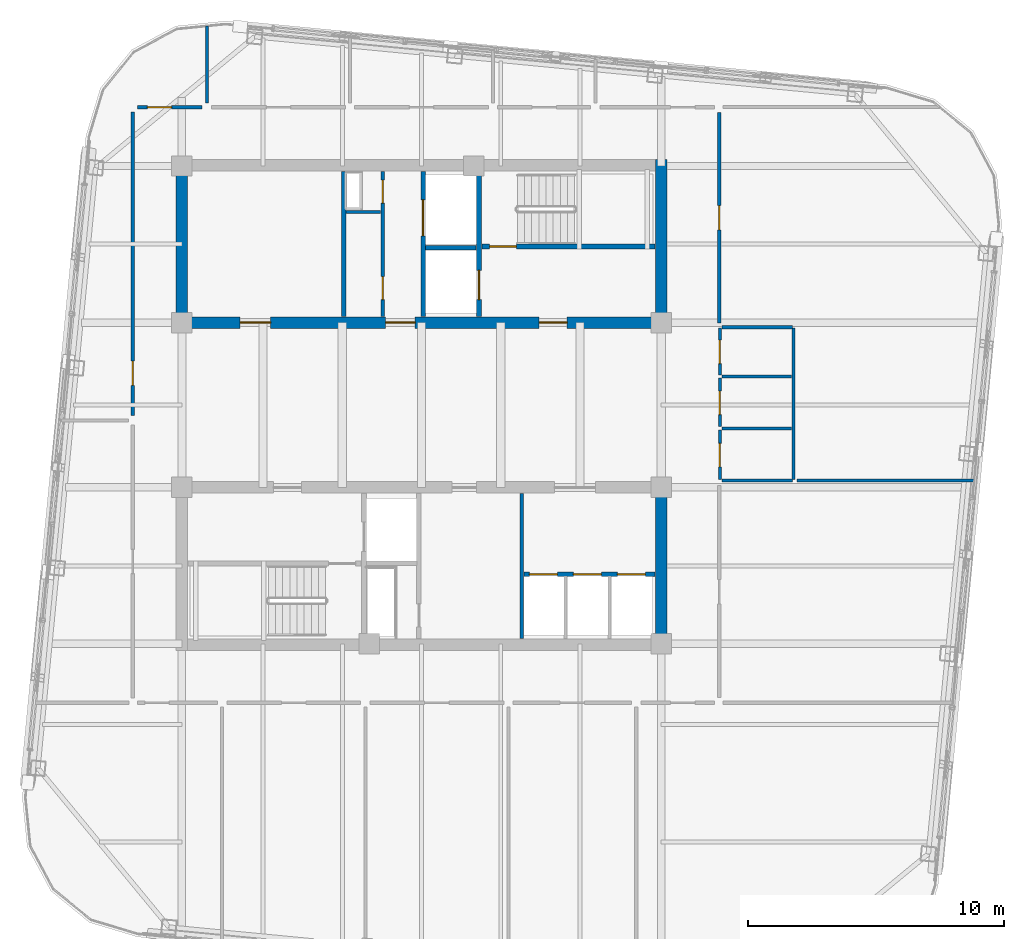
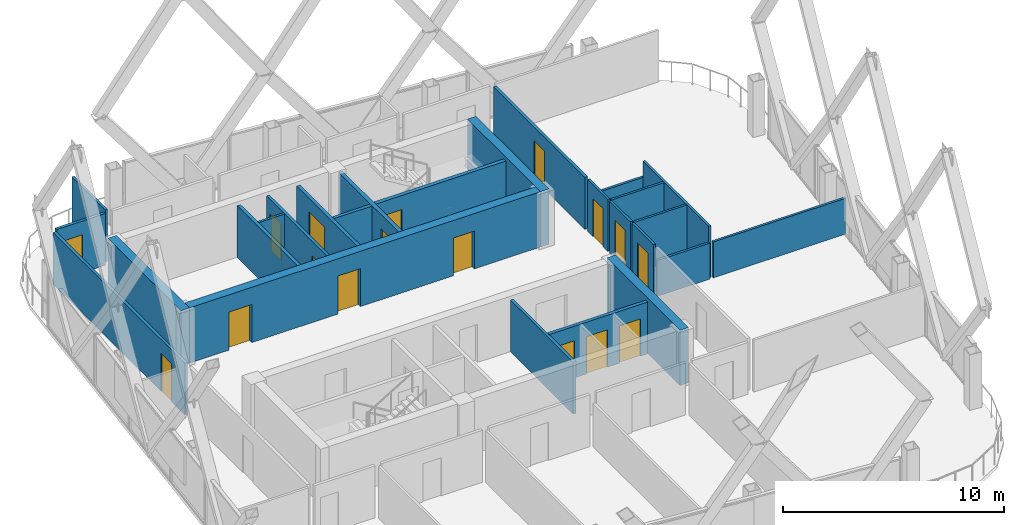
# One storey, part 20 of 25: 26 walls, 17 doors, 17 openings.
"""IFC4 building model written with IfcOpenShell, lengths in metres."""

from ifc_helpers import new_model, si_unit, direction, frame, frame_2d, origin, place, context, subcontext, project, spatial, rectangle, extrude, material, layer, layer_set, type_object, element, fill, save


model = new_model("IFC4")

# Units and contexts
model_context = context("Model", 3, precision=1e-05, world=origin(), true_north=direction((0.0, 1.0)))
body_context = subcontext(model_context, "Body", "Model", "MODEL_VIEW")
ifc_project = project(units=[si_unit("LENGTHUNIT", "METRE"), si_unit("AREAUNIT", "SQUARE_METRE"), si_unit("VOLUMEUNIT", "CUBIC_METRE"), si_unit("PLANEANGLEUNIT", "RADIAN"), si_unit("MASSUNIT", "GRAM", prefix="KILO")], contexts=[model_context])

# Site, building, storey
site_placement = place(None, origin())
site = spatial("IfcSite", under=ifc_project, at=site_placement, CompositionType="ELEMENT")
building_placement = place(site_placement, origin())
building = spatial("IfcBuilding", under=site, at=building_placement, Name="Qhalaya Broadcast Tower", CompositionType="ELEMENT")
storey_placement = place(building_placement, frame((0.0, 0.0, 255.050048828125)))
storey = spatial("IfcBuildingStorey", under=building, at=storey_placement, Name="L75", CompositionType="ELEMENT", Elevation=255.050048828125)

# Wall, openings, doors
ifc_material_1 = material(Name="Gypsum Acoustic Partition")
ifc_layer_1 = layer(ifc_material_1, 0.14990234375, Name="Gypsum Acoustic Partition")
ifc_layer_set_1 = layer_set([ifc_layer_1], Name="Gypsum Acoustic Partition")
wall_type_1 = type_object("IfcWallType", Name="Corridor & Tenancy Acoustic Partition 150", PredefinedType="PARTITIONING", material=ifc_layer_set_1)
wall_1_placement = place(storey_placement, frame((-1.52001953125, 4.070068359375, 0.0), z_axis=(0.0, 0.0, 1.0), x_axis=(0.0, 1.0, 0.0)))
wall_1 = element("IfcWall", 1, at=wall_1_placement, inside=storey, type_object=wall_type_1, Name="L75 Partition Wall NCW-SVL", PredefinedType="PARTITIONING", context=body_context, shape_type="SweptSolid", body=[
    extrude(rectangle(XDim=5.659912109375, YDim=0.14990234375, at=frame_2d((2.830078125, 0.0))), origin(), (0.0, 0.0, 1.0), 2.85986328125),
])
opening_1_placement = place(wall_1_placement, frame((4.429931640625, 0.0, 0.0)))
opening_1 = element("IfcOpeningElement", 2, at=opening_1_placement, cuts=wall_1, Name="Opening D06", PredefinedType="OPENING", context=body_context, shape_type="SweptSolid", body=[
    extrude(rectangle(XDim=0.89990234375, YDim=2.050048828125, at=frame_2d((0.449951171875, 1.02490234375))), frame((0.0, 0.0869140625, 0.0), z_axis=(0.0, -1.0, 0.0), x_axis=(1.0, 0.0, 0.0)), (0.0, 0.0, 1.0), 0.173828125),
])
opening_2_placement = place(wall_1_placement, frame((0.64990234375, 0.0, 0.0)))
opening_2 = element("IfcOpeningElement", 3, at=opening_2_placement, cuts=wall_1, Name="Opening D06", PredefinedType="OPENING", context=body_context, shape_type="SweptSolid", body=[
    extrude(rectangle(XDim=0.89990234375, YDim=2.050048828125, at=frame_2d((0.449951171875, 1.02490234375))), frame((0.0, 0.0869140625, 0.0), z_axis=(0.0, -1.0, 0.0), x_axis=(1.0, 0.0, 0.0)), (0.0, 0.0, 1.0), 0.173828125),
])
ifc_material_2 = material(Name="Fire-Rated Steel Door", Category="steel")
door_type_1 = type_object("IfcDoorType", Name="Riser & Electrical Shaft Access Door D06", OperationType="NOTDEFINED", PredefinedType="DOOR", material=ifc_material_2)
door_1_placement = place(opening_1_placement, origin())
door_1 = element("IfcDoor", 4, at=door_1_placement, inside=storey, type_object=door_type_1, Name="L75 Riser Shaft Access Door D-NRSR", OperationType="SINGLE_SWING_RIGHT", OverallHeight=2.050048828125, OverallWidth=0.89990234375, PredefinedType="DOOR", context=body_context, shape_type="SweptSolid", body=[
    extrude(rectangle(XDim=0.89990234375, YDim=2.050048828125, at=frame_2d((0.449951171875, 1.02490234375))), frame((0.0, 0.02490234375, 0.0), z_axis=(0.0, -1.0, 0.0), x_axis=(1.0, 0.0, 0.0)), (0.0, 0.0, 1.0), 0.050048828125),
])
fill(opening_1, door_1)
door_2_placement = place(opening_2_placement, origin())
door_2 = element("IfcDoor", 5, at=door_2_placement, inside=storey, type_object=door_type_1, Name="L75 Door D-NCST", OperationType="SINGLE_SWING_LEFT", OverallHeight=2.050048828125, OverallWidth=0.89990234375, PredefinedType="DOOR", context=body_context, shape_type="SweptSolid", body=[
    extrude(rectangle(XDim=0.89990234375, YDim=2.050048828125, at=frame_2d((0.449951171875, 1.02490234375))), frame((0.0, 0.02490234375, 0.0), z_axis=(0.0, -1.0, 0.0), x_axis=(1.0, 0.0, 0.0)), (0.0, 0.0, 1.0), 0.050048828125),
])
fill(opening_2, door_2)

# Wall
wall_2_placement = place(storey_placement, frame((3.919921875, -8.530029296875, 0.0), z_axis=(0.0, 0.0, 1.0), x_axis=(0.0, 1.0, 0.0)))
element("IfcWall", 6, at=wall_2_placement, inside=storey, type_object=wall_type_1, Name="L75 Partition Wall SCW-HSEP", PredefinedType="PARTITIONING", context=body_context, shape_type="SweptSolid", body=[
    extrude(rectangle(XDim=5.659912109375, YDim=0.14990234375, at=frame_2d((2.830078125, 0.0))), origin(), (0.0, 0.0, 1.0), 2.85986328125),
])

# Wall, opening, door
wall_3_placement = place(storey_placement, frame((-11.1201171875, 12.25, 0.0), z_axis=(0.0, 0.0, 1.0), x_axis=(1.0, 0.0, 0.0)))
wall_3 = element("IfcWall", 7, at=wall_3_placement, inside=storey, type_object=wall_type_1, Name="L75 Partition Wall W-COR-01", PredefinedType="PARTITIONING", context=body_context, shape_type="SweptSolid", body=[
    extrude(rectangle(XDim=2.5400390625, YDim=0.14990234375, at=frame_2d((1.27001953125, 0.0))), origin(), (0.0, 0.0, 1.0), 2.85986328125),
])
opening_3_placement = place(wall_3_placement, frame((0.39501953125, 0.0, 0.0)))
opening_3 = element("IfcOpeningElement", 8, at=opening_3_placement, cuts=wall_3, Name="Opening D10", PredefinedType="OPENING", context=body_context, shape_type="SweptSolid", body=[
    extrude(rectangle(XDim=0.949951171875, YDim=2.10009765625, at=frame_2d((0.47509765625, 1.050048828125))), frame((0.0, 0.0869140625, 0.0), z_axis=(0.0, -1.0, 0.0), x_axis=(1.0, 0.0, 0.0)), (0.0, 0.0, 1.0), 0.173828125),
])
ifc_material_3 = material(Name="Timber Veneer Acoustic Door", Category="wood")
door_type_2 = type_object("IfcDoorType", Name="Cellular Office & Edit Booth Door D10", OperationType="NOTDEFINED", PredefinedType="DOOR", material=ifc_material_3)
door_3_placement = place(opening_3_placement, origin())
door_3 = element("IfcDoor", 9, at=door_3_placement, inside=storey, type_object=door_type_2, Name="L75 Door D-RM01", OperationType="SINGLE_SWING_LEFT", OverallHeight=2.10009765625, OverallWidth=0.949951171875, PredefinedType="DOOR", context=body_context, shape_type="SweptSolid", body=[
    extrude(rectangle(XDim=0.949951171875, YDim=2.10009765625, at=frame_2d((0.47509765625, 1.050048828125))), frame((0.0, 0.02490234375, 0.0), z_axis=(0.0, -1.0, 0.0), x_axis=(1.0, 0.0, 0.0)), (0.0, 0.0, 1.0), 0.050048828125),
])
fill(opening_3, door_3)

wall_4_placement = place(storey_placement, frame((-11.300048828125, 12.070068359375, 0.0), z_axis=(0.0, 0.0, 1.0), x_axis=(0.0, -1.0, 0.0)))
wall_4 = element("IfcWall", 10, at=wall_4_placement, inside=storey, type_object=wall_type_1, Name="L75 Partition Wall W-COR-12", PredefinedType="PARTITIONING", context=body_context, shape_type="SweptSolid", body=[
    extrude(rectangle(XDim=11.89013671875, YDim=0.14990234375, at=frame_2d((5.945068359375, 0.0))), origin(), (0.0, 0.0, 1.0), 2.85986328125),
])
opening_4_placement = place(wall_4_placement, frame((9.75, 0.0, 0.0)))
opening_4 = element("IfcOpeningElement", 11, at=opening_4_placement, cuts=wall_4, Name="Opening D10", PredefinedType="OPENING", context=body_context, shape_type="SweptSolid", body=[
    extrude(rectangle(XDim=0.949951171875, YDim=2.10009765625, at=frame_2d((0.47509765625, 1.050048828125))), frame((0.0, 0.0869140625, 0.0), z_axis=(0.0, -1.0, 0.0), x_axis=(1.0, 0.0, 0.0)), (0.0, 0.0, 1.0), 0.173828125),
])
door_4_placement = place(opening_4_placement, origin())
door_4 = element("IfcDoor", 12, at=door_4_placement, inside=storey, type_object=door_type_2, Name="L75 Door D-RM12", OperationType="SINGLE_SWING_RIGHT", OverallHeight=2.10009765625, OverallWidth=0.949951171875, PredefinedType="DOOR", context=body_context, shape_type="SweptSolid", body=[
    extrude(rectangle(XDim=0.949951171875, YDim=2.10009765625, at=frame_2d((0.47509765625, 1.050048828125))), frame((0.0, 0.02490234375, 0.0), z_axis=(0.0, -1.0, 0.0), x_axis=(1.0, 0.0, 0.0)), (0.0, 0.0, 1.0), 0.050048828125),
])
fill(opening_4, door_4)

wall_5_placement = place(storey_placement, frame((11.64990234375, 3.800048828125, 0.0), z_axis=(0.0, 0.0, 1.0), x_axis=(0.0, 1.0, 0.0)))
wall_5 = element("IfcWall", 13, at=wall_5_placement, inside=storey, type_object=wall_type_1, Name="L75 Partition Wall W-COR-14", PredefinedType="PARTITIONING", context=body_context, shape_type="SweptSolid", body=[
    extrude(rectangle(XDim=8.25, YDim=0.14990234375, at=frame_2d((4.125, 0.0))), origin(), (0.0, 0.0, 1.0), 2.85986328125),
])
opening_5_placement = place(wall_5_placement, frame((3.64990234375, 0.0, 0.0)))
opening_5 = element("IfcOpeningElement", 14, at=opening_5_placement, cuts=wall_5, Name="Opening D10", PredefinedType="OPENING", context=body_context, shape_type="SweptSolid", body=[
    extrude(rectangle(XDim=0.949951171875, YDim=2.10009765625, at=frame_2d((0.47509765625, 1.050048828125))), frame((0.0, 0.0869140625, 0.0), z_axis=(0.0, -1.0, 0.0), x_axis=(1.0, 0.0, 0.0)), (0.0, 0.0, 1.0), 0.173828125),
])
door_5_placement = place(opening_5_placement, origin())
door_5 = element("IfcDoor", 15, at=door_5_placement, inside=storey, type_object=door_type_2, Name="L75 Door D-RM14", OperationType="SINGLE_SWING_RIGHT", OverallHeight=2.10009765625, OverallWidth=0.949951171875, PredefinedType="DOOR", context=body_context, shape_type="SweptSolid", body=[
    extrude(rectangle(XDim=0.949951171875, YDim=2.10009765625, at=frame_2d((0.47509765625, 1.050048828125))), frame((0.0, 0.02490234375, 0.0), z_axis=(0.0, -1.0, 0.0), x_axis=(1.0, 0.0, 0.0)), (0.0, 0.0, 1.0), 0.050048828125),
])
fill(opening_5, door_5)

ifc_material_4 = material(Name="Concrete C50/60", Category="concrete")
ifc_layer_2 = layer(ifc_material_4, 0.199951171875, Name="Concrete C50/60")
ifc_layer_set_2 = layer_set([ifc_layer_2], Name="Concrete C50/60")
wall_type_2 = type_object("IfcWallType", Name="Load-Bearing Stair Shaft Wall 200", PredefinedType="SHEAR", material=ifc_layer_set_2)
wall_6_placement = place(storey_placement, frame((2.360107421875, 6.804931640625, 0.0), z_axis=(0.0, 0.0, 1.0), x_axis=(1.0, 0.0, 0.0)))
wall_6 = element("IfcWall", 16, at=wall_6_placement, inside=storey, type_object=wall_type_2, Name="L75 Stair Core Shear Wall NCW-ST1", PredefinedType="SHEAR", context=body_context, shape_type="SweptSolid", body=[
    extrude(rectangle(XDim=6.769775390625, YDim=0.199951171875, at=frame_2d((3.384765625, 0.0))), origin(), (0.0, 0.0, 1.0), 2.85986328125),
])
opening_6_placement = place(wall_6_placement, frame((0.300048828125, 0.0, 0.0)))
opening_6 = element("IfcOpeningElement", 17, at=opening_6_placement, cuts=wall_6, Name="Opening D03", PredefinedType="OPENING", context=body_context, shape_type="SweptSolid", body=[
    extrude(rectangle(XDim=1.050048828125, YDim=2.080078125, at=frame_2d((0.52490234375, 1.0400390625))), frame((0.0, 0.112060546875, 0.0), z_axis=(0.0, -1.0, 0.0), x_axis=(1.0, 0.0, 0.0)), (0.0, 0.0, 1.0), 0.223876953125),
])
door_type_3 = type_object("IfcDoorType", Name="Core Stair Protected Fire Door D03", OperationType="NOTDEFINED", PredefinedType="DOOR", material=ifc_material_2)
door_6_placement = place(opening_6_placement, origin())
door_6 = element("IfcDoor", 18, at=door_6_placement, inside=storey, type_object=door_type_3, Name="L75 Door D-NST1", OperationType="SINGLE_SWING_LEFT", OverallHeight=2.080078125, OverallWidth=1.050048828125, PredefinedType="DOOR", context=body_context, shape_type="SweptSolid", body=[
    extrude(rectangle(XDim=1.050048828125, YDim=2.080078125, at=frame_2d((0.52490234375, 1.0400390625))), frame((0.0, 0.02490234375, 0.0), z_axis=(0.0, -1.0, 0.0), x_axis=(1.0, 0.0, 0.0)), (0.0, 0.0, 1.0), 0.050048828125),
])
fill(opening_6, door_6)

wall_7_placement = place(storey_placement, frame((2.25, 4.070068359375, 0.0), z_axis=(0.0, 0.0, 1.0), x_axis=(0.0, 1.0, 0.0)))
wall_7 = element("IfcWall", 19, at=wall_7_placement, inside=storey, type_object=wall_type_2, Name="L75 Stair Core Shear Wall NCW-FF", PredefinedType="SHEAR", context=body_context, shape_type="SweptSolid", body=[
    extrude(rectangle(XDim=5.659912109375, YDim=0.199951171875, at=frame_2d((2.830078125, 0.0))), origin(), (0.0, 0.0, 1.0), 2.85986328125),
])
opening_7_placement = place(wall_7_placement, frame((0.64990234375, 0.0, 0.0)))
opening_7 = element("IfcOpeningElement", 20, at=opening_7_placement, cuts=wall_7, Name="Opening LD2", PredefinedType="OPENING", context=body_context, shape_type="SweptSolid", body=[
    extrude(rectangle(XDim=1.14990234375, YDim=2.080078125, at=frame_2d((0.574951171875, 1.0400390625))), frame((0.0, 0.112060546875, 0.0), z_axis=(0.0, -1.0, 0.0), x_axis=(1.0, 0.0, 0.0)), (0.0, 0.0, 1.0), 0.223876953125),
])
ifc_material_5 = material(Name="Brushed Stainless Steel Lift Door", Category="steel")
door_type_4 = type_object("IfcDoorType", Name="Firefighting Lift Sliding Landing Door LD2", OperationType="DOUBLE_DOOR_SLIDING", PredefinedType="DOOR", material=ifc_material_5)
door_7_placement = place(opening_7_placement, origin())
door_7 = element("IfcDoor", 21, at=door_7_placement, inside=storey, type_object=door_type_4, Name="L75 Door LD-FF1", OperationType="DOUBLE_DOOR_SLIDING", OverallHeight=2.080078125, OverallWidth=1.14990234375, PredefinedType="DOOR", context=body_context, shape_type="SweptSolid", body=[
    extrude(rectangle(XDim=1.14990234375, YDim=2.080078125, at=frame_2d((0.574951171875, 1.0400390625))), frame((0.0, 0.02490234375, 0.0), z_axis=(0.0, -1.0, 0.0), x_axis=(1.0, 0.0, 0.0)), (0.0, 0.0, 1.0), 0.050048828125),
])
fill(opening_7, door_7)

# Wall
ifc_layer_3 = layer(ifc_material_1, 0.1201171875, Name="Gypsum Acoustic Partition")
ifc_layer_set_3 = layer_set([ifc_layer_3], Name="Gypsum Acoustic Partition")
wall_type_3 = type_object("IfcWallType", Name="Office, Booth & Sanitary Partition 120", PredefinedType="PARTITIONING", material=ifc_layer_set_3)
wall_8_placement = place(storey_placement, frame((-2.9599609375, 8.14990234375, 0.0), z_axis=(0.0, 0.0, 1.0), x_axis=(1.0, 0.0, 0.0)))
element("IfcWall", 22, at=wall_8_placement, inside=storey, type_object=wall_type_3, Name="L75 Partition Wall NCW-VA", PredefinedType="PARTITIONING", context=body_context, shape_type="SweptSolid", body=[
    extrude(rectangle(XDim=1.35986328125, YDim=0.1201171875, at=frame_2d((0.679931640625, 0.0))), origin(), (0.0, 0.0, 1.0), 2.85986328125),
])

# Wall, opening, door
wall_9_placement = place(storey_placement, frame((11.669921875, -2.320068359375, 0.0), z_axis=(0.0, 0.0, 1.0), x_axis=(0.0, 1.0, 0.0)))
wall_9 = element("IfcWall", 23, at=wall_9_placement, inside=storey, type_object=wall_type_3, Name="L75 Partition Wall W-WCWA", PredefinedType="PARTITIONING", context=body_context, shape_type="SweptSolid", body=[
    extrude(rectangle(XDim=1.940185546875, YDim=0.1201171875, at=frame_2d((0.97021484375, 0.0))), origin(), (0.0, 0.0, 1.0), 2.85986328125),
])
opening_8_placement = place(wall_9_placement, frame((0.4951171875, 0.0, 0.0)))
opening_8 = element("IfcOpeningElement", 24, at=opening_8_placement, cuts=wall_9, Name="Opening D12", PredefinedType="OPENING", context=body_context, shape_type="SweptSolid", body=[
    extrude(rectangle(XDim=0.919921875, YDim=2.10009765625, at=frame_2d((0.4599609375, 1.050048828125))), frame((0.0, 0.072021484375, 0.0), z_axis=(0.0, -1.0, 0.0), x_axis=(1.0, 0.0, 0.0)), (0.0, 0.0, 1.0), 0.14404296875),
])
door_type_5 = type_object("IfcDoorType", Name="Accessible WC & Restroom Door D12", OperationType="NOTDEFINED", PredefinedType="DOOR", material=ifc_material_3)
door_8_placement = place(opening_8_placement, origin())
door_8 = element("IfcDoor", 25, at=door_8_placement, inside=storey, type_object=door_type_5, Name="L75 Door D-WCA", OperationType="SINGLE_SWING_LEFT", OverallHeight=2.10009765625, OverallWidth=0.919921875, PredefinedType="DOOR", context=body_context, shape_type="SweptSolid", body=[
    extrude(rectangle(XDim=0.919921875, YDim=2.10009765625, at=frame_2d((0.4599609375, 1.050048828125))), frame((0.0, 0.02490234375, 0.0), z_axis=(0.0, -1.0, 0.0), x_axis=(1.0, 0.0, 0.0)), (0.0, 0.0, 1.0), 0.050048828125),
])
fill(opening_8, door_8)

wall_10_placement = place(storey_placement, frame((11.669921875, -0.25, 0.0), z_axis=(0.0, 0.0, 1.0), x_axis=(0.0, 1.0, 0.0)))
wall_10 = element("IfcWall", 26, at=wall_10_placement, inside=storey, type_object=wall_type_3, Name="L75 Partition Wall W-WCWM", PredefinedType="PARTITIONING", context=body_context, shape_type="SweptSolid", body=[
    extrude(rectangle(XDim=1.89990234375, YDim=0.1201171875, at=frame_2d((0.949951171875, 0.0))), origin(), (0.0, 0.0, 1.0), 2.85986328125),
])
opening_9_placement = place(wall_10_placement, frame((0.47509765625, 0.0, 0.0)))
opening_9 = element("IfcOpeningElement", 27, at=opening_9_placement, cuts=wall_10, Name="Opening D12", PredefinedType="OPENING", context=body_context, shape_type="SweptSolid", body=[
    extrude(rectangle(XDim=0.919921875, YDim=2.10009765625, at=frame_2d((0.4599609375, 1.050048828125))), frame((0.0, 0.072021484375, 0.0), z_axis=(0.0, -1.0, 0.0), x_axis=(1.0, 0.0, 0.0)), (0.0, 0.0, 1.0), 0.14404296875),
])
door_9_placement = place(opening_9_placement, origin())
door_9 = element("IfcDoor", 28, at=door_9_placement, inside=storey, type_object=door_type_5, Name="L75 Door D-WCM", OperationType="SINGLE_SWING_RIGHT", OverallHeight=2.10009765625, OverallWidth=0.919921875, PredefinedType="DOOR", context=body_context, shape_type="SweptSolid", body=[
    extrude(rectangle(XDim=0.919921875, YDim=2.10009765625, at=frame_2d((0.4599609375, 1.050048828125))), frame((0.0, 0.02490234375, 0.0), z_axis=(0.0, -1.0, 0.0), x_axis=(1.0, 0.0, 0.0)), (0.0, 0.0, 1.0), 0.050048828125),
])
fill(opening_9, door_9)

wall_11_placement = place(storey_placement, frame((11.669921875, 1.780029296875, 0.0), z_axis=(0.0, 0.0, 1.0), x_axis=(0.0, 1.0, 0.0)))
wall_11 = element("IfcWall", 29, at=wall_11_placement, inside=storey, type_object=wall_type_3, Name="L75 Partition Wall W-WCWF", PredefinedType="PARTITIONING", context=body_context, shape_type="SweptSolid", body=[
    extrude(rectangle(XDim=1.830078125, YDim=0.1201171875, at=frame_2d((0.9150390625, 0.0))), origin(), (0.0, 0.0, 1.0), 2.85986328125),
])
opening_10_placement = place(wall_11_placement, frame((0.43994140625, 0.0, 0.0)))
opening_10 = element("IfcOpeningElement", 30, at=opening_10_placement, cuts=wall_11, Name="Opening D12", PredefinedType="OPENING", context=body_context, shape_type="SweptSolid", body=[
    extrude(rectangle(XDim=0.919921875, YDim=2.10009765625, at=frame_2d((0.4599609375, 1.050048828125))), frame((0.0, 0.072021484375, 0.0), z_axis=(0.0, -1.0, 0.0), x_axis=(1.0, 0.0, 0.0)), (0.0, 0.0, 1.0), 0.14404296875),
])
door_10_placement = place(opening_10_placement, origin())
door_10 = element("IfcDoor", 31, at=door_10_placement, inside=storey, type_object=door_type_5, Name="L75 Door D-WCF", OperationType="SINGLE_SWING_LEFT", OverallHeight=2.10009765625, OverallWidth=0.919921875, PredefinedType="DOOR", context=body_context, shape_type="SweptSolid", body=[
    extrude(rectangle(XDim=0.919921875, YDim=2.10009765625, at=frame_2d((0.4599609375, 1.050048828125))), frame((0.0, 0.02490234375, 0.0), z_axis=(0.0, -1.0, 0.0), x_axis=(1.0, 0.0, 0.0)), (0.0, 0.0, 1.0), 0.050048828125),
])
fill(opening_10, door_10)

# Walls
wall_12_placement = place(storey_placement, frame((14.550048828125, -2.320068359375, 0.0), z_axis=(0.0, 0.0, 1.0), x_axis=(0.0, 1.0, 0.0)))
element("IfcWall", 32, at=wall_12_placement, inside=storey, type_object=wall_type_3, Name="L75 Partition Wall W-WCE", PredefinedType="PARTITIONING", context=body_context, shape_type="SweptSolid", body=[
    extrude(rectangle(XDim=5.93017578125, YDim=0.1201171875, at=frame_2d((2.965087890625, 0.0))), origin(), (0.0, 0.0, 1.0), 2.85986328125),
])
for number, where, z_axis, x_axis, name in (
    (33, (11.760009765625, -2.35009765625, 0.0), (0.0, 0.0, 1.0), (1.0, 0.0, 0.0), "L75 Partition Wall W-WCS"),
    (34, (11.760009765625, 3.639892578125, 0.0), (0.0, 0.0, 1.0), (1.0, 0.0, 0.0), "L75 Partition Wall W-WCN"),
):
    element("IfcWall", number, at=place(storey_placement, frame(where, z_axis=z_axis, x_axis=x_axis)), inside=storey, type_object=wall_type_3, Name=name, PredefinedType="PARTITIONING", context=body_context, shape_type="SweptSolid", body=[
        extrude(rectangle(XDim=2.760009765625, YDim=0.1201171875, at=frame_2d((1.3798828125, 0.0))), origin(), (0.0, 0.0, 1.0), 1.98095703125),
    ])
for number, where, z_axis, x_axis, name in (
    (35, (11.760009765625, -0.320068359375, 0.0), (0.0, 0.0, 1.0), (1.0, 0.0, 0.0), "L75 Partition Wall W-WCD1"),
    (36, (11.760009765625, 1.719970703125, 0.0), (0.0, 0.0, 1.0), (1.0, 0.0, 0.0), "L75 Partition Wall W-WCD2"),
):
    element("IfcWall", number, at=place(storey_placement, frame(where, z_axis=z_axis, x_axis=x_axis)), inside=storey, type_object=wall_type_3, Name=name, PredefinedType="PARTITIONING", context=body_context, shape_type="SweptSolid", body=[
        extrude(rectangle(XDim=2.719970703125, YDim=0.1201171875, at=frame_2d((1.35986328125, 0.0))), origin(), (0.0, 0.0, 1.0), 2.85986328125),
    ])
wall_13_placement = place(storey_placement, frame((-8.39990234375, 12.409912109375, 0.0), z_axis=(0.0, 0.0, 1.0), x_axis=(0.0, 1.0, 0.0)))
element("IfcWall", 37, at=wall_13_placement, inside=storey, type_object=wall_type_3, Name="L75 Partition Wall W-DIVN1", PredefinedType="PARTITIONING", context=body_context, shape_type="SweptSolid", body=[
    extrude(rectangle(XDim=3.01953125, YDim=0.1201171875, at=frame_2d((1.509765625, 0.0))), origin(), (0.0, 0.0, 1.0), 2.85986328125),
])
wall_14_placement = place(storey_placement, frame((14.68994140625, -2.35009765625, 0.0), z_axis=(0.0, 0.0, 1.0), x_axis=(1.0, 0.0, 0.0)))
element("IfcWall", 38, at=wall_14_placement, inside=storey, type_object=wall_type_3, Name="L75 Partition Wall W-DIVE-WC", PredefinedType="PARTITIONING", context=body_context, shape_type="SweptSolid", body=[
    extrude(rectangle(XDim=6.92724609375, YDim=0.1201171875, at=frame_2d((3.463623046875, 0.0))), origin(), (0.0, 0.0, 1.0), 1.98095703125),
])

# Wall, opening, door
ifc_layer_4 = layer(ifc_material_1, 0.175048828125, Name="Gypsum Acoustic Partition")
ifc_layer_set_4 = layer_set([ifc_layer_4], Name="Gypsum Acoustic Partition")
wall_type_4 = type_object("IfcWallType", Name="Shaft & Riser Fire Partition 175", PredefinedType="PARTITIONING", material=ifc_layer_set_4)
wall_15_placement = place(storey_placement, frame((0.06005859375, 4.070068359375, 0.0), z_axis=(0.0, 0.0, 1.0), x_axis=(0.0, 1.0, 0.0)))
wall_15 = element("IfcWall", 39, at=wall_15_placement, inside=storey, type_object=wall_type_4, Name="L75 Partition Wall NCW-SVW", PredefinedType="PARTITIONING", context=body_context, shape_type="SweptSolid", body=[
    extrude(rectangle(XDim=5.659912109375, YDim=0.175048828125, at=frame_2d((2.830078125, 0.0))), origin(), (0.0, 0.0, 1.0), 2.85986328125),
])
opening_11_placement = place(wall_15_placement, frame((3.14990234375, 0.0, 0.0)))
opening_11 = element("IfcOpeningElement", 40, at=opening_11_placement, cuts=wall_15, Name="Opening LD3", PredefinedType="OPENING", context=body_context, shape_type="SweptSolid", body=[
    extrude(rectangle(XDim=1.39990234375, YDim=2.1201171875, at=frame_2d((0.699951171875, 1.06005859375))), frame((0.0, 0.099609375, 0.0), z_axis=(0.0, -1.0, 0.0), x_axis=(1.0, 0.0, 0.0)), (0.0, 0.0, 1.0), 0.198974609375),
])
door_type_6 = type_object("IfcDoorType", Name="Service Lift Wide Sliding Landing Door LD3", OperationType="DOUBLE_DOOR_SLIDING", PredefinedType="DOOR", material=ifc_material_5)
door_11_placement = place(opening_11_placement, origin())
door_11 = element("IfcDoor", 41, at=door_11_placement, inside=storey, type_object=door_type_6, Name="L75 Door LD-SV1", OperationType="DOUBLE_DOOR_SLIDING", OverallHeight=2.1201171875, OverallWidth=1.39990234375, PredefinedType="DOOR", context=body_context, shape_type="SweptSolid", body=[
    extrude(rectangle(XDim=1.39990234375, YDim=2.1201171875, at=frame_2d((0.699951171875, 1.06005859375))), frame((0.0, 0.02490234375, 0.0), z_axis=(0.0, -1.0, 0.0), x_axis=(1.0, 0.0, 0.0)), (0.0, 0.0, 1.0), 0.050048828125),
])
fill(opening_11, door_11)

# Walls
wall_16_placement = place(storey_placement, frame((0.159912109375, 6.75, 0.0), z_axis=(0.0, 0.0, 1.0), x_axis=(1.0, 0.0, 0.0)))
element("IfcWall", 42, at=wall_16_placement, inside=storey, type_object=wall_type_4, Name="L75 Partition Wall NCW-SVM", PredefinedType="PARTITIONING", context=body_context, shape_type="SweptSolid", body=[
    extrude(rectangle(XDim=1.97998046875, YDim=0.175048828125, at=frame_2d((0.989990234375, 0.0))), origin(), (0.0, 0.0, 1.0), 2.85986328125),
])
wall_17_placement = place(storey_placement, frame((-3.0400390625, 4.070068359375, 0.0), z_axis=(0.0, 0.0, 1.0), x_axis=(0.0, 1.0, 0.0)))
element("IfcWall", 43, at=wall_17_placement, inside=storey, type_object=wall_type_4, Name="L75 Partition Wall NCW-VRW", PredefinedType="PARTITIONING", context=body_context, shape_type="SweptSolid", body=[
    extrude(rectangle(XDim=5.659912109375, YDim=0.175048828125, at=frame_2d((2.830078125, 0.0))), origin(), (0.0, 0.0, 1.0), 2.85986328125),
])

# Wall, openings, doors
wall_18_placement = place(storey_placement, frame((4.0, -6.02001953125, 0.0), z_axis=(0.0, 0.0, 1.0), x_axis=(1.0, 0.0, 0.0)))
wall_18 = element("IfcWall", 44, at=wall_18_placement, inside=storey, type_object=wall_type_4, Name="L75 Partition Wall SCW-SLB", PredefinedType="PARTITIONING", context=body_context, shape_type="SweptSolid", body=[
    extrude(rectangle(XDim=5.1298828125, YDim=0.175048828125, at=frame_2d((2.56494140625, 0.0))), origin(), (0.0, 0.0, 1.0), 2.85986328125),
])
opening_12_placement = place(wall_18_placement, frame((0.219970703125, 0.0, 0.0)))
opening_12 = element("IfcOpeningElement", 45, at=opening_12_placement, cuts=wall_18, Name="Opening LD1", PredefinedType="OPENING", context=body_context, shape_type="SweptSolid", body=[
    extrude(rectangle(XDim=1.10009765625, YDim=2.06005859375, at=frame_2d((0.550048828125, 1.030029296875))), frame((0.0, 0.099609375, 0.0), z_axis=(0.0, -1.0, 0.0), x_axis=(1.0, 0.0, 0.0)), (0.0, 0.0, 1.0), 0.198974609375),
])
opening_13_placement = place(wall_18_placement, frame((1.93994140625, 0.0, 0.0)))
opening_13 = element("IfcOpeningElement", 46, at=opening_13_placement, cuts=wall_18, Name="Opening LD1", PredefinedType="OPENING", context=body_context, shape_type="SweptSolid", body=[
    extrude(rectangle(XDim=1.10009765625, YDim=2.06005859375, at=frame_2d((0.550048828125, 1.030029296875))), frame((0.0, 0.099609375, 0.0), z_axis=(0.0, -1.0, 0.0), x_axis=(1.0, 0.0, 0.0)), (0.0, 0.0, 1.0), 0.198974609375),
])
opening_14_placement = place(wall_18_placement, frame((3.659912109375, 0.0, 0.0)))
opening_14 = element("IfcOpeningElement", 47, at=opening_14_placement, cuts=wall_18, Name="Opening LD1", PredefinedType="OPENING", context=body_context, shape_type="SweptSolid", body=[
    extrude(rectangle(XDim=1.10009765625, YDim=2.06005859375, at=frame_2d((0.550048828125, 1.030029296875))), frame((0.0, 0.099609375, 0.0), z_axis=(0.0, -1.0, 0.0), x_axis=(1.0, 0.0, 0.0)), (0.0, 0.0, 1.0), 0.198974609375),
])
door_type_7 = type_object("IfcDoorType", Name="Passenger Lift Sliding Landing Door LD1", OperationType="DOUBLE_DOOR_SLIDING", PredefinedType="DOOR", material=ifc_material_5)
door_12_placement = place(opening_12_placement, origin())
door_12 = element("IfcDoor", 48, at=door_12_placement, inside=storey, type_object=door_type_7, Name="L75 Door LD-P6", OperationType="DOUBLE_DOOR_SLIDING", OverallHeight=2.06005859375, OverallWidth=1.10009765625, PredefinedType="DOOR", context=body_context, shape_type="SweptSolid", body=[
    extrude(rectangle(XDim=1.10009765625, YDim=2.06005859375, at=frame_2d((0.550048828125, 1.030029296875))), frame((0.0, 0.02490234375, 0.0), z_axis=(0.0, -1.0, 0.0), x_axis=(1.0, 0.0, 0.0)), (0.0, 0.0, 1.0), 0.050048828125),
])
fill(opening_12, door_12)
door_13_placement = place(opening_13_placement, origin())
door_13 = element("IfcDoor", 49, at=door_13_placement, inside=storey, type_object=door_type_7, Name="L75 Door LD-P7", OperationType="DOUBLE_DOOR_SLIDING", OverallHeight=2.06005859375, OverallWidth=1.10009765625, PredefinedType="DOOR", context=body_context, shape_type="SweptSolid", body=[
    extrude(rectangle(XDim=1.10009765625, YDim=2.06005859375, at=frame_2d((0.550048828125, 1.030029296875))), frame((0.0, 0.02490234375, 0.0), z_axis=(0.0, -1.0, 0.0), x_axis=(1.0, 0.0, 0.0)), (0.0, 0.0, 1.0), 0.050048828125),
])
fill(opening_13, door_13)
door_14_placement = place(opening_14_placement, origin())
door_14 = element("IfcDoor", 50, at=door_14_placement, inside=storey, type_object=door_type_7, Name="L75 Door LD-P8", OperationType="DOUBLE_DOOR_SLIDING", OverallHeight=2.06005859375, OverallWidth=1.10009765625, PredefinedType="DOOR", context=body_context, shape_type="SweptSolid", body=[
    extrude(rectangle(XDim=1.10009765625, YDim=2.06005859375, at=frame_2d((0.550048828125, 1.030029296875))), frame((0.0, 0.02490234375, 0.0), z_axis=(0.0, -1.0, 0.0), x_axis=(1.0, 0.0, 0.0)), (0.0, 0.0, 1.0), 0.050048828125),
])
fill(opening_14, door_14)

ifc_layer_5 = layer(ifc_material_4, 0.449951171875, Name="Concrete C50/60")
ifc_layer_set_5 = layer_set([ifc_layer_5], Name="Concrete C50/60")
wall_type_5 = type_object("IfcWallType", Name="Upper Split-Core Shear Wall 450", PredefinedType="SHEAR", material=ifc_layer_set_5)
wall_19_placement = place(storey_placement, frame((-9.60009765625, 3.824951171875, 0.0), z_axis=(0.0, 0.0, 1.0), x_axis=(1.0, 0.0, 0.0)))
wall_19 = element("IfcWall", 51, at=wall_19_placement, inside=storey, type_object=wall_type_5, Name="L75 Split-Core Shear Wall CW-NS", PredefinedType="SHEAR", context=body_context, shape_type="SweptSolid", body=[
    extrude(rectangle(XDim=19.2001953125, YDim=0.449951171875, at=frame_2d((9.60009765625, 0.0))), origin(), (0.0, 0.0, 1.0), 3.050048828125),
])
opening_15_placement = place(wall_19_placement, frame((14.199951171875, 0.0, 0.0)))
opening_15 = element("IfcOpeningElement", 52, at=opening_15_placement, cuts=wall_19, Name="Opening D04", PredefinedType="OPENING", context=body_context, shape_type="SweptSolid", body=[
    extrude(rectangle(XDim=1.10009765625, YDim=2.080078125, at=frame_2d((0.550048828125, 1.0400390625))), frame((0.0, 0.237060546875, 0.0), z_axis=(0.0, -1.0, 0.0), x_axis=(1.0, 0.0, 0.0)), (0.0, 0.0, 1.0), 0.473876953125),
])
opening_16_placement = place(wall_19_placement, frame((8.199951171875, 0.0, 0.0)))
opening_16 = element("IfcOpeningElement", 53, at=opening_16_placement, cuts=wall_19, Name="Opening D05", PredefinedType="OPENING", context=body_context, shape_type="SweptSolid", body=[
    extrude(rectangle(XDim=1.14990234375, YDim=2.10009765625, at=frame_2d((0.574951171875, 1.050048828125))), frame((0.0, 0.237060546875, 0.0), z_axis=(0.0, -1.0, 0.0), x_axis=(1.0, 0.0, 0.0)), (0.0, 0.0, 1.0), 0.473876953125),
])
opening_17_placement = place(wall_19_placement, frame((2.5, 0.0, 0.0)))
opening_17 = element("IfcOpeningElement", 54, at=opening_17_placement, cuts=wall_19, Name="Opening D11", PredefinedType="OPENING", context=body_context, shape_type="SweptSolid", body=[
    extrude(rectangle(XDim=1.199951171875, YDim=2.10009765625, at=frame_2d((0.60009765625, 1.050048828125))), frame((0.0, 0.237060546875, 0.0), z_axis=(0.0, -1.0, 0.0), x_axis=(1.0, 0.0, 0.0)), (0.0, 0.0, 1.0), 0.473876953125),
])
ifc_material_6 = material(Name="Anodised Aluminium Glazed Door", Category="aluminium")
door_type_8 = type_object("IfcDoorType", Name="Conference, Boardroom & Studio Control Door D11", OperationType="NOTDEFINED", PredefinedType="DOOR", material=ifc_material_6)
door_15_placement = place(opening_17_placement, origin())
door_15 = element("IfcDoor", 55, at=door_15_placement, inside=storey, type_object=door_type_8, Name="L75 Door D-NREC1", OperationType="SINGLE_SWING_LEFT", OverallHeight=2.10009765625, OverallWidth=1.199951171875, PredefinedType="DOOR", context=body_context, shape_type="SweptSolid", body=[
    extrude(rectangle(XDim=1.199951171875, YDim=2.10009765625, at=frame_2d((0.60009765625, 1.050048828125))), frame((0.0, 0.02490234375, 0.0), z_axis=(0.0, -1.0, 0.0), x_axis=(1.0, 0.0, 0.0)), (0.0, 0.0, 1.0), 0.050048828125),
])
fill(opening_17, door_15)
door_type_9 = type_object("IfcDoorType", Name="Firefighting Lobby Rated Door D04", OperationType="NOTDEFINED", PredefinedType="DOOR", material=ifc_material_2)
door_16_placement = place(opening_15_placement, origin())
door_16 = element("IfcDoor", 56, at=door_16_placement, inside=storey, type_object=door_type_9, Name="L75 Door D-NFF", OperationType="SINGLE_SWING_RIGHT", OverallHeight=2.080078125, OverallWidth=1.10009765625, PredefinedType="DOOR", context=body_context, shape_type="SweptSolid", body=[
    extrude(rectangle(XDim=1.10009765625, YDim=2.080078125, at=frame_2d((0.550048828125, 1.0400390625))), frame((0.0, 0.02490234375, 0.0), z_axis=(0.0, -1.0, 0.0), x_axis=(1.0, 0.0, 0.0)), (0.0, 0.0, 1.0), 0.050048828125),
])
fill(opening_15, door_16)
door_type_10 = type_object("IfcDoorType", Name="Refuge & Plant Room Fire Door D05", OperationType="NOTDEFINED", PredefinedType="DOOR", material=ifc_material_2)
door_17_placement = place(opening_16_placement, origin())
door_17 = element("IfcDoor", 57, at=door_17_placement, inside=storey, type_object=door_type_10, Name="L75 Door D-NSVL", OperationType="SINGLE_SWING_LEFT", OverallHeight=2.10009765625, OverallWidth=1.14990234375, PredefinedType="DOOR", context=body_context, shape_type="SweptSolid", body=[
    extrude(rectangle(XDim=1.14990234375, YDim=2.10009765625, at=frame_2d((0.574951171875, 1.050048828125))), frame((0.0, 0.02490234375, 0.0), z_axis=(0.0, -1.0, 0.0), x_axis=(1.0, 0.0, 0.0)), (0.0, 0.0, 1.0), 0.050048828125),
])
fill(opening_16, door_17)

# Walls
for number, where, z_axis, x_axis, name in (
    (58, (-9.375, 3.60009765625, 0.0), (0.0, 0.0, 1.0), (0.0, 1.0, 0.0), "L75 Split-Core Shear Wall CW-NW"),
    (59, (9.375, 3.60009765625, 0.0), (0.0, 0.0, 1.0), (0.0, 1.0, 0.0), "L75 Split-Core Shear Wall CW-NE"),
):
    element("IfcWall", number, at=place(storey_placement, frame(where, z_axis=z_axis, x_axis=x_axis)), inside=storey, type_object=wall_type_5, Name=name, PredefinedType="SHEAR", context=body_context, shape_type="SweptSolid", body=[
        extrude(rectangle(XDim=6.599853515625, YDim=0.449951171875, at=frame_2d((3.2998046875, 0.0))), origin(), (0.0, 0.0, 1.0), 3.050048828125),
    ])
wall_20_placement = place(storey_placement, frame((9.375, -9.0, 0.0), z_axis=(0.0, 0.0, 1.0), x_axis=(0.0, 1.0, 0.0)))
element("IfcWall", 60, at=wall_20_placement, inside=storey, type_object=wall_type_5, Name="L75 Split-Core Shear Wall CW-SE", PredefinedType="SHEAR", context=body_context, shape_type="SweptSolid", body=[
    extrude(rectangle(XDim=6.60009765625, YDim=0.449951171875, at=frame_2d((3.300048828125, 0.0))), origin(), (0.0, 0.0, 1.0), 3.050048828125),
])

save(model, "model.ifc")
